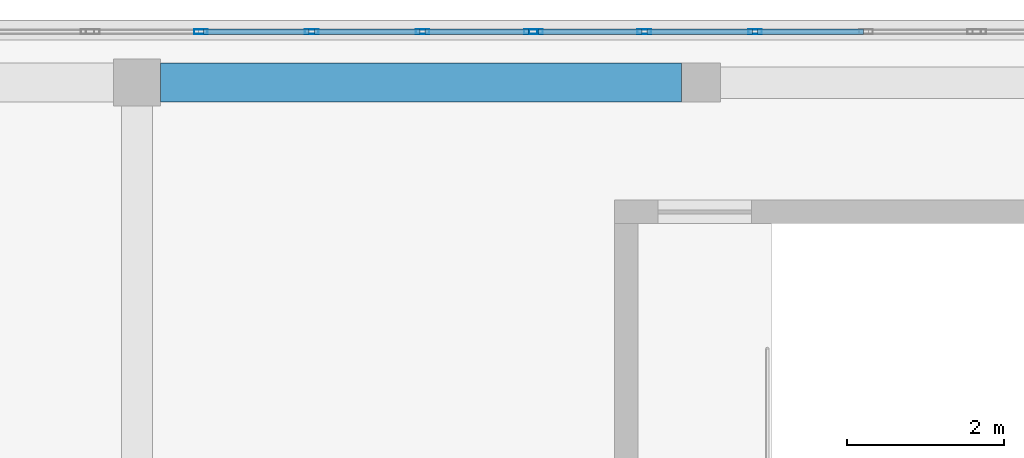
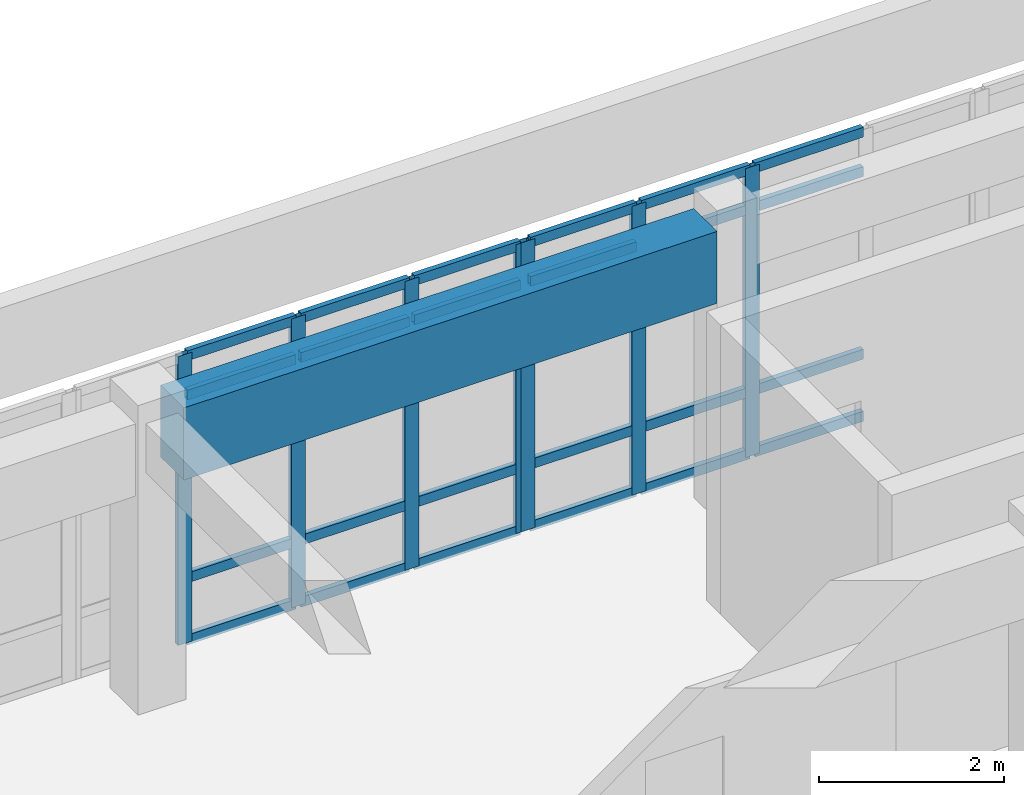
# One storey, part 8 of 14: 31 members, 1 beam, 2 elements without a shape of their own.
"""IFC4 building model written with IfcOpenShell, lengths in metres."""

from ifc_helpers import new_model, si_unit, direction, frame, origin, origin_2d, place, context, subcontext, project, spatial, rectangle, hollow_rectangle, extrude, material, layer, layer_set, material_profile, profile_set, type_object, element, aggregate, save


model = new_model("IFC4")

# Units and contexts
model_context = context("Model", 3, precision=1e-05, world=origin(), true_north=direction((0.0, 1.0)))
body_context = subcontext(model_context, "Body", "Model", "MODEL_VIEW")
ifc_project = project(units=[si_unit("LENGTHUNIT", "METRE"), si_unit("AREAUNIT", "SQUARE_METRE"), si_unit("VOLUMEUNIT", "CUBIC_METRE"), si_unit("PLANEANGLEUNIT", "RADIAN"), si_unit("MASSUNIT", "GRAM", prefix="KILO")], contexts=[model_context])

# Site, building, storey
site_placement = place(None, origin())
site = spatial("IfcSite", under=ifc_project, at=site_placement, CompositionType="ELEMENT")
building_placement = place(site_placement, origin())
building = spatial("IfcBuilding", under=site, at=building_placement, Name="Valcora Specialist Clinic", CompositionType="ELEMENT")
storey_placement = place(building_placement, frame((0.0, 0.0, 21.760009765625)))
storey = spatial("IfcBuildingStorey", under=building, at=storey_placement, Name="L05", CompositionType="ELEMENT", Elevation=21.760009765625)

# Beam
ifc_material_1 = material(Name="Concrete C40/50", Category="concrete")
ifc_material_profile_1 = material_profile(ifc_material_1, rectangle(XDim=0.5, YDim=0.949951171875, at=origin_2d()), Name="RC-BM-500X950")
ifc_profile_set_1 = profile_set([ifc_material_profile_1], Name="Concrete C40/50")
beam_type = type_object("IfcBeamType", Name="TY-BM-TR500X950", PredefinedType="BEAM", material=ifc_profile_set_1)
beam_placement = place(storey_placement, frame((23.699951171875, 22.0, 3.3349609375), z_axis=(1.0, 0.0, 0.0), x_axis=(0.0, 1.0, 0.0)))
element("IfcBeam", 1, at=beam_placement, inside=storey, type_object=beam_type, Name="Beam BM-L05-1130", PredefinedType="BEAM", context=body_context, shape_type="SweptSolid", body=[
    extrude(rectangle(XDim=0.5, YDim=0.949951171875, at=origin_2d()), origin(), (0.0, 0.0, 1.0), 6.650146484375),
])

# Curtain wall, members
ifc_material_2 = material(Name="Anodized Bronze Aluminium 6063-T6", Category="aluminium")
ifc_layer = layer(ifc_material_2, 0.175048828125)
ifc_layer_set = layer_set([ifc_layer], Name="Anodized Bronze Aluminium 6063-T6")
curtain_wall_type = type_object("IfcCurtainWallType", Name="TY-CW-V5F15", PredefinedType="NOTDEFINED", material=ifc_layer_set)
curtain_wall_1_placement = place(storey_placement, origin())
curtain_wall_1 = element("IfcCurtainWall", 2, at=curtain_wall_1_placement, inside=storey, type_object=curtain_wall_type, Name="Curtain wall CW-L05-182", PredefinedType="NOTDEFINED")
ifc_material_profile_2 = material_profile(ifc_material_2, hollow_rectangle(XDim=0.06494140625, YDim=0.175048828125, WallThickness=0.00390625, at=origin_2d()), Name="AL-MUL-65X175")
ifc_profile_set_2 = profile_set([ifc_material_profile_2], Name="Anodized Bronze Aluminium 6063-T6")
member_type_1 = type_object("IfcMemberType", Name="TY-CWM-65X175", PredefinedType="MULLION", material=ifc_profile_set_2)
member_1_placement = place(storey_placement, frame((24.215576171875, 22.64990234375, 0.0), z_axis=(0.0, 0.0, 1.0), x_axis=(0.0, 1.0, 0.0)))
member_1 = element("IfcMember", 3, at=member_1_placement, type_object=member_type_1, Name="CW-V5F-15 mullion 2", PredefinedType="MULLION", context=body_context, shape_type="SweptSolid", body=[
    extrude(hollow_rectangle(XDim=0.06494140625, YDim=0.175048828125, WallThickness=0.00390625, at=origin_2d()), origin(), (0.0, 0.0, 1.0), 3.81005859375),
])
member_2_placement = place(storey_placement, frame((25.63134765625, 22.64990234375, 0.0), z_axis=(0.0, 0.0, 1.0), x_axis=(0.0, 1.0, 0.0)))
member_2 = element("IfcMember", 4, at=member_2_placement, type_object=member_type_1, Name="CW-V5F-15 mullion 3", PredefinedType="MULLION", context=body_context, shape_type="SweptSolid", body=[
    extrude(hollow_rectangle(XDim=0.06494140625, YDim=0.175048828125, WallThickness=0.00390625, at=origin_2d()), origin(), (0.0, 0.0, 1.0), 3.81005859375),
])
member_3_placement = place(storey_placement, frame((27.046875, 22.64990234375, 0.0), z_axis=(0.0, 0.0, 1.0), x_axis=(0.0, 1.0, 0.0)))
member_3 = element("IfcMember", 5, at=member_3_placement, type_object=member_type_1, Name="CW-V5F-15 mullion 4", PredefinedType="MULLION", context=body_context, shape_type="SweptSolid", body=[
    extrude(hollow_rectangle(XDim=0.06494140625, YDim=0.175048828125, WallThickness=0.00390625, at=origin_2d()), origin(), (0.0, 0.0, 1.0), 3.81005859375),
])
member_4_placement = place(storey_placement, frame((28.429931640625, 22.64990234375, 0.0), z_axis=(0.0, 0.0, 1.0), x_axis=(0.0, 1.0, 0.0)))
member_4 = element("IfcMember", 6, at=member_4_placement, type_object=member_type_1, Name="CW-V5F-15 mullion 5", PredefinedType="MULLION", context=body_context, shape_type="SweptSolid", body=[
    extrude(hollow_rectangle(XDim=0.06494140625, YDim=0.175048828125, WallThickness=0.00390625, at=origin_2d()), origin(), (0.0, 0.0, 1.0), 3.81005859375),
])

curtain_wall_2_placement = place(storey_placement, origin())
curtain_wall_2 = element("IfcCurtainWall", 7, at=curtain_wall_2_placement, inside=storey, type_object=curtain_wall_type, Name="Curtain wall CW-L05-183", PredefinedType="NOTDEFINED")
member_5_placement = place(storey_placement, frame((28.4951171875, 22.64990234375, 0.0), z_axis=(0.0, 0.0, 1.0), x_axis=(0.0, 1.0, 0.0)))
member_5 = element("IfcMember", 8, at=member_5_placement, type_object=member_type_1, Name="CW-V5F-15 mullion 1", PredefinedType="MULLION", context=body_context, shape_type="SweptSolid", body=[
    extrude(hollow_rectangle(XDim=0.06494140625, YDim=0.175048828125, WallThickness=0.00390625, at=origin_2d()), origin(), (0.0, 0.0, 1.0), 3.81005859375),
])
member_6_placement = place(storey_placement, frame((29.878173828125, 22.64990234375, 0.0), z_axis=(0.0, 0.0, 1.0), x_axis=(0.0, 1.0, 0.0)))
member_6 = element("IfcMember", 9, at=member_6_placement, type_object=member_type_1, Name="CW-V5F-15 mullion 2", PredefinedType="MULLION", context=body_context, shape_type="SweptSolid", body=[
    extrude(hollow_rectangle(XDim=0.06494140625, YDim=0.175048828125, WallThickness=0.00390625, at=origin_2d()), origin(), (0.0, 0.0, 1.0), 3.81005859375),
])
member_7_placement = place(storey_placement, frame((31.293701171875, 22.64990234375, 0.0), z_axis=(0.0, 0.0, 1.0), x_axis=(0.0, 1.0, 0.0)))
member_7 = element("IfcMember", 10, at=member_7_placement, type_object=member_type_1, Name="CW-V5F-15 mullion 3", PredefinedType="MULLION", context=body_context, shape_type="SweptSolid", body=[
    extrude(hollow_rectangle(XDim=0.06494140625, YDim=0.175048828125, WallThickness=0.00390625, at=origin_2d()), origin(), (0.0, 0.0, 1.0), 3.81005859375),
])

# Member
ifc_material_profile_3 = material_profile(ifc_material_2, hollow_rectangle(XDim=0.06494140625, YDim=0.1298828125, WallThickness=0.00390625, at=origin_2d()), Name="AL-TRN-65X130")
ifc_profile_set_3 = profile_set([ifc_material_profile_3], Name="Anodized Bronze Aluminium 6063-T6")
member_type_2 = type_object("IfcMemberType", Name="TY-CWT-65X130", PredefinedType="USERDEFINED", material=ifc_profile_set_3)
member_8_placement = place(storey_placement, frame((24.248046875, 22.64990234375, 0.032470703125), z_axis=(1.0, 0.0, 0.0), x_axis=(0.0, 1.0, 0.0)))
member_8 = element("IfcMember", 11, at=member_8_placement, type_object=member_type_2, Name="CW-V5F-15 transom 2.1", ObjectType="TRANSOM", PredefinedType="USERDEFINED", context=body_context, shape_type="SweptSolid", body=[
    extrude(hollow_rectangle(XDim=0.06494140625, YDim=0.1298828125, WallThickness=0.00390625, at=origin_2d()), origin(), (0.0, 0.0, 1.0), 1.3505859375),
])

member_9_placement = place(storey_placement, frame((24.248046875, 22.64990234375, 0.85009765625), z_axis=(1.0, 0.0, 0.0), x_axis=(0.0, 1.0, 0.0)))
member_9 = element("IfcMember", 12, at=member_9_placement, type_object=member_type_2, Name="CW-V5F-15 transom 2.2", ObjectType="TRANSOM", PredefinedType="USERDEFINED", context=body_context, shape_type="SweptSolid", body=[
    extrude(hollow_rectangle(XDim=0.06494140625, YDim=0.1298828125, WallThickness=0.00390625, at=origin_2d()), origin(), (0.0, 0.0, 1.0), 1.3505859375),
])

member_10_placement = place(storey_placement, frame((24.248046875, 22.64990234375, 3.260009765625), z_axis=(1.0, 0.0, 0.0), x_axis=(0.0, 1.0, 0.0)))
member_10 = element("IfcMember", 13, at=member_10_placement, type_object=member_type_2, Name="CW-V5F-15 transom 2.3", ObjectType="TRANSOM", PredefinedType="USERDEFINED", context=body_context, shape_type="SweptSolid", body=[
    extrude(hollow_rectangle(XDim=0.06494140625, YDim=0.1298828125, WallThickness=0.00390625, at=origin_2d()), origin(), (0.0, 0.0, 1.0), 1.3505859375),
])

member_11_placement = place(storey_placement, frame((24.248046875, 22.64990234375, 3.777587890625), z_axis=(1.0, 0.0, 0.0), x_axis=(0.0, 1.0, 0.0)))
member_11 = element("IfcMember", 14, at=member_11_placement, type_object=member_type_2, Name="CW-V5F-15 transom 2.4", ObjectType="TRANSOM", PredefinedType="USERDEFINED", context=body_context, shape_type="SweptSolid", body=[
    extrude(hollow_rectangle(XDim=0.06494140625, YDim=0.1298828125, WallThickness=0.00390625, at=origin_2d()), origin(), (0.0, 0.0, 1.0), 1.3505859375),
])

member_12_placement = place(storey_placement, frame((25.663818359375, 22.64990234375, 0.032470703125), z_axis=(1.0, 0.0, 0.0), x_axis=(0.0, 1.0, 0.0)))
member_12 = element("IfcMember", 15, at=member_12_placement, type_object=member_type_2, Name="CW-V5F-15 transom 3.1", ObjectType="TRANSOM", PredefinedType="USERDEFINED", context=body_context, shape_type="SweptSolid", body=[
    extrude(hollow_rectangle(XDim=0.06494140625, YDim=0.1298828125, WallThickness=0.00390625, at=origin_2d()), origin(), (0.0, 0.0, 1.0), 1.3505859375),
])

member_13_placement = place(storey_placement, frame((25.663818359375, 22.64990234375, 0.85009765625), z_axis=(1.0, 0.0, 0.0), x_axis=(0.0, 1.0, 0.0)))
member_13 = element("IfcMember", 16, at=member_13_placement, type_object=member_type_2, Name="CW-V5F-15 transom 3.2", ObjectType="TRANSOM", PredefinedType="USERDEFINED", context=body_context, shape_type="SweptSolid", body=[
    extrude(hollow_rectangle(XDim=0.06494140625, YDim=0.1298828125, WallThickness=0.00390625, at=origin_2d()), origin(), (0.0, 0.0, 1.0), 1.3505859375),
])

member_14_placement = place(storey_placement, frame((25.663818359375, 22.64990234375, 3.260009765625), z_axis=(1.0, 0.0, 0.0), x_axis=(0.0, 1.0, 0.0)))
member_14 = element("IfcMember", 17, at=member_14_placement, type_object=member_type_2, Name="CW-V5F-15 transom 3.3", ObjectType="TRANSOM", PredefinedType="USERDEFINED", context=body_context, shape_type="SweptSolid", body=[
    extrude(hollow_rectangle(XDim=0.06494140625, YDim=0.1298828125, WallThickness=0.00390625, at=origin_2d()), origin(), (0.0, 0.0, 1.0), 1.3505859375),
])

member_15_placement = place(storey_placement, frame((25.663818359375, 22.64990234375, 3.777587890625), z_axis=(1.0, 0.0, 0.0), x_axis=(0.0, 1.0, 0.0)))
member_15 = element("IfcMember", 18, at=member_15_placement, type_object=member_type_2, Name="CW-V5F-15 transom 3.4", ObjectType="TRANSOM", PredefinedType="USERDEFINED", context=body_context, shape_type="SweptSolid", body=[
    extrude(hollow_rectangle(XDim=0.06494140625, YDim=0.1298828125, WallThickness=0.00390625, at=origin_2d()), origin(), (0.0, 0.0, 1.0), 1.3505859375),
])

member_16_placement = place(storey_placement, frame((27.079345703125, 22.64990234375, 0.032470703125), z_axis=(1.0, 0.0, 0.0), x_axis=(0.0, 1.0, 0.0)))
member_16 = element("IfcMember", 19, at=member_16_placement, type_object=member_type_2, Name="CW-V5F-15 transom 4.1", ObjectType="TRANSOM", PredefinedType="USERDEFINED", context=body_context, shape_type="SweptSolid", body=[
    extrude(hollow_rectangle(XDim=0.06494140625, YDim=0.1298828125, WallThickness=0.00390625, at=origin_2d()), origin(), (0.0, 0.0, 1.0), 1.318115234375),
])

member_17_placement = place(storey_placement, frame((27.079345703125, 22.64990234375, 0.85009765625), z_axis=(1.0, 0.0, 0.0), x_axis=(0.0, 1.0, 0.0)))
member_17 = element("IfcMember", 20, at=member_17_placement, type_object=member_type_2, Name="CW-V5F-15 transom 4.2", ObjectType="TRANSOM", PredefinedType="USERDEFINED", context=body_context, shape_type="SweptSolid", body=[
    extrude(hollow_rectangle(XDim=0.06494140625, YDim=0.1298828125, WallThickness=0.00390625, at=origin_2d()), origin(), (0.0, 0.0, 1.0), 1.318115234375),
])

member_18_placement = place(storey_placement, frame((27.079345703125, 22.64990234375, 3.260009765625), z_axis=(1.0, 0.0, 0.0), x_axis=(0.0, 1.0, 0.0)))
member_18 = element("IfcMember", 21, at=member_18_placement, type_object=member_type_2, Name="CW-V5F-15 transom 4.3", ObjectType="TRANSOM", PredefinedType="USERDEFINED", context=body_context, shape_type="SweptSolid", body=[
    extrude(hollow_rectangle(XDim=0.06494140625, YDim=0.1298828125, WallThickness=0.00390625, at=origin_2d()), origin(), (0.0, 0.0, 1.0), 1.318115234375),
])

member_19_placement = place(storey_placement, frame((27.079345703125, 22.64990234375, 3.777587890625), z_axis=(1.0, 0.0, 0.0), x_axis=(0.0, 1.0, 0.0)))
member_19 = element("IfcMember", 22, at=member_19_placement, type_object=member_type_2, Name="CW-V5F-15 transom 4.4", ObjectType="TRANSOM", PredefinedType="USERDEFINED", context=body_context, shape_type="SweptSolid", body=[
    extrude(hollow_rectangle(XDim=0.06494140625, YDim=0.1298828125, WallThickness=0.00390625, at=origin_2d()), origin(), (0.0, 0.0, 1.0), 1.318115234375),
])

aggregate(curtain_wall_1, [member_1, member_2, member_3, member_4, member_8, member_9, member_10, member_11, member_12, member_13, member_14, member_15, member_16, member_17, member_18, member_19])

member_20_placement = place(storey_placement, frame((28.527587890625, 22.64990234375, 0.032470703125), z_axis=(1.0, 0.0, 0.0), x_axis=(0.0, 1.0, 0.0)))
member_20 = element("IfcMember", 23, at=member_20_placement, type_object=member_type_2, Name="CW-V5F-15 transom 1.1", ObjectType="TRANSOM", PredefinedType="USERDEFINED", context=body_context, shape_type="SweptSolid", body=[
    extrude(hollow_rectangle(XDim=0.06494140625, YDim=0.1298828125, WallThickness=0.00390625, at=origin_2d()), origin(), (0.0, 0.0, 1.0), 1.318115234375),
])

member_21_placement = place(storey_placement, frame((28.527587890625, 22.64990234375, 0.85009765625), z_axis=(1.0, 0.0, 0.0), x_axis=(0.0, 1.0, 0.0)))
member_21 = element("IfcMember", 24, at=member_21_placement, type_object=member_type_2, Name="CW-V5F-15 transom 1.2", ObjectType="TRANSOM", PredefinedType="USERDEFINED", context=body_context, shape_type="SweptSolid", body=[
    extrude(hollow_rectangle(XDim=0.06494140625, YDim=0.1298828125, WallThickness=0.00390625, at=origin_2d()), origin(), (0.0, 0.0, 1.0), 1.318115234375),
])

member_22_placement = place(storey_placement, frame((28.527587890625, 22.64990234375, 3.260009765625), z_axis=(1.0, 0.0, 0.0), x_axis=(0.0, 1.0, 0.0)))
member_22 = element("IfcMember", 25, at=member_22_placement, type_object=member_type_2, Name="CW-V5F-15 transom 1.3", ObjectType="TRANSOM", PredefinedType="USERDEFINED", context=body_context, shape_type="SweptSolid", body=[
    extrude(hollow_rectangle(XDim=0.06494140625, YDim=0.1298828125, WallThickness=0.00390625, at=origin_2d()), origin(), (0.0, 0.0, 1.0), 1.318115234375),
])

member_23_placement = place(storey_placement, frame((28.527587890625, 22.64990234375, 3.777587890625), z_axis=(1.0, 0.0, 0.0), x_axis=(0.0, 1.0, 0.0)))
member_23 = element("IfcMember", 26, at=member_23_placement, type_object=member_type_2, Name="CW-V5F-15 transom 1.4", ObjectType="TRANSOM", PredefinedType="USERDEFINED", context=body_context, shape_type="SweptSolid", body=[
    extrude(hollow_rectangle(XDim=0.06494140625, YDim=0.1298828125, WallThickness=0.00390625, at=origin_2d()), origin(), (0.0, 0.0, 1.0), 1.318115234375),
])

member_24_placement = place(storey_placement, frame((29.91064453125, 22.64990234375, 0.032470703125), z_axis=(1.0, 0.0, 0.0), x_axis=(0.0, 1.0, 0.0)))
member_24 = element("IfcMember", 27, at=member_24_placement, type_object=member_type_2, Name="CW-V5F-15 transom 2.1", ObjectType="TRANSOM", PredefinedType="USERDEFINED", context=body_context, shape_type="SweptSolid", body=[
    extrude(hollow_rectangle(XDim=0.06494140625, YDim=0.1298828125, WallThickness=0.00390625, at=origin_2d()), origin(), (0.0, 0.0, 1.0), 1.3505859375),
])

member_25_placement = place(storey_placement, frame((29.91064453125, 22.64990234375, 0.85009765625), z_axis=(1.0, 0.0, 0.0), x_axis=(0.0, 1.0, 0.0)))
member_25 = element("IfcMember", 28, at=member_25_placement, type_object=member_type_2, Name="CW-V5F-15 transom 2.2", ObjectType="TRANSOM", PredefinedType="USERDEFINED", context=body_context, shape_type="SweptSolid", body=[
    extrude(hollow_rectangle(XDim=0.06494140625, YDim=0.1298828125, WallThickness=0.00390625, at=origin_2d()), origin(), (0.0, 0.0, 1.0), 1.3505859375),
])

member_26_placement = place(storey_placement, frame((29.91064453125, 22.64990234375, 3.260009765625), z_axis=(1.0, 0.0, 0.0), x_axis=(0.0, 1.0, 0.0)))
member_26 = element("IfcMember", 29, at=member_26_placement, type_object=member_type_2, Name="CW-V5F-15 transom 2.3", ObjectType="TRANSOM", PredefinedType="USERDEFINED", context=body_context, shape_type="SweptSolid", body=[
    extrude(hollow_rectangle(XDim=0.06494140625, YDim=0.1298828125, WallThickness=0.00390625, at=origin_2d()), origin(), (0.0, 0.0, 1.0), 1.3505859375),
])

member_27_placement = place(storey_placement, frame((29.91064453125, 22.64990234375, 3.777587890625), z_axis=(1.0, 0.0, 0.0), x_axis=(0.0, 1.0, 0.0)))
member_27 = element("IfcMember", 30, at=member_27_placement, type_object=member_type_2, Name="CW-V5F-15 transom 2.4", ObjectType="TRANSOM", PredefinedType="USERDEFINED", context=body_context, shape_type="SweptSolid", body=[
    extrude(hollow_rectangle(XDim=0.06494140625, YDim=0.1298828125, WallThickness=0.00390625, at=origin_2d()), origin(), (0.0, 0.0, 1.0), 1.3505859375),
])

member_28_placement = place(storey_placement, frame((31.326171875, 22.64990234375, 0.032470703125), z_axis=(1.0, 0.0, 0.0), x_axis=(0.0, 1.0, 0.0)))
member_28 = element("IfcMember", 31, at=member_28_placement, type_object=member_type_2, Name="CW-V5F-15 transom 3.1", ObjectType="TRANSOM", PredefinedType="USERDEFINED", context=body_context, shape_type="SweptSolid", body=[
    extrude(hollow_rectangle(XDim=0.06494140625, YDim=0.1298828125, WallThickness=0.00390625, at=origin_2d()), origin(), (0.0, 0.0, 1.0), 1.3505859375),
])

member_29_placement = place(storey_placement, frame((31.326171875, 22.64990234375, 0.85009765625), z_axis=(1.0, 0.0, 0.0), x_axis=(0.0, 1.0, 0.0)))
member_29 = element("IfcMember", 32, at=member_29_placement, type_object=member_type_2, Name="CW-V5F-15 transom 3.2", ObjectType="TRANSOM", PredefinedType="USERDEFINED", context=body_context, shape_type="SweptSolid", body=[
    extrude(hollow_rectangle(XDim=0.06494140625, YDim=0.1298828125, WallThickness=0.00390625, at=origin_2d()), origin(), (0.0, 0.0, 1.0), 1.3505859375),
])

member_30_placement = place(storey_placement, frame((31.326171875, 22.64990234375, 3.260009765625), z_axis=(1.0, 0.0, 0.0), x_axis=(0.0, 1.0, 0.0)))
member_30 = element("IfcMember", 33, at=member_30_placement, type_object=member_type_2, Name="CW-V5F-15 transom 3.3", ObjectType="TRANSOM", PredefinedType="USERDEFINED", context=body_context, shape_type="SweptSolid", body=[
    extrude(hollow_rectangle(XDim=0.06494140625, YDim=0.1298828125, WallThickness=0.00390625, at=origin_2d()), origin(), (0.0, 0.0, 1.0), 1.3505859375),
])

member_31_placement = place(storey_placement, frame((31.326171875, 22.64990234375, 3.777587890625), z_axis=(1.0, 0.0, 0.0), x_axis=(0.0, 1.0, 0.0)))
member_31 = element("IfcMember", 34, at=member_31_placement, type_object=member_type_2, Name="CW-V5F-15 transom 3.4", ObjectType="TRANSOM", PredefinedType="USERDEFINED", context=body_context, shape_type="SweptSolid", body=[
    extrude(hollow_rectangle(XDim=0.06494140625, YDim=0.1298828125, WallThickness=0.00390625, at=origin_2d()), origin(), (0.0, 0.0, 1.0), 1.3505859375),
])

aggregate(curtain_wall_2, [member_5, member_6, member_7, member_20, member_21, member_22, member_23, member_24, member_25, member_26, member_27, member_28, member_29, member_30, member_31])

save(model, "model.ifc")
